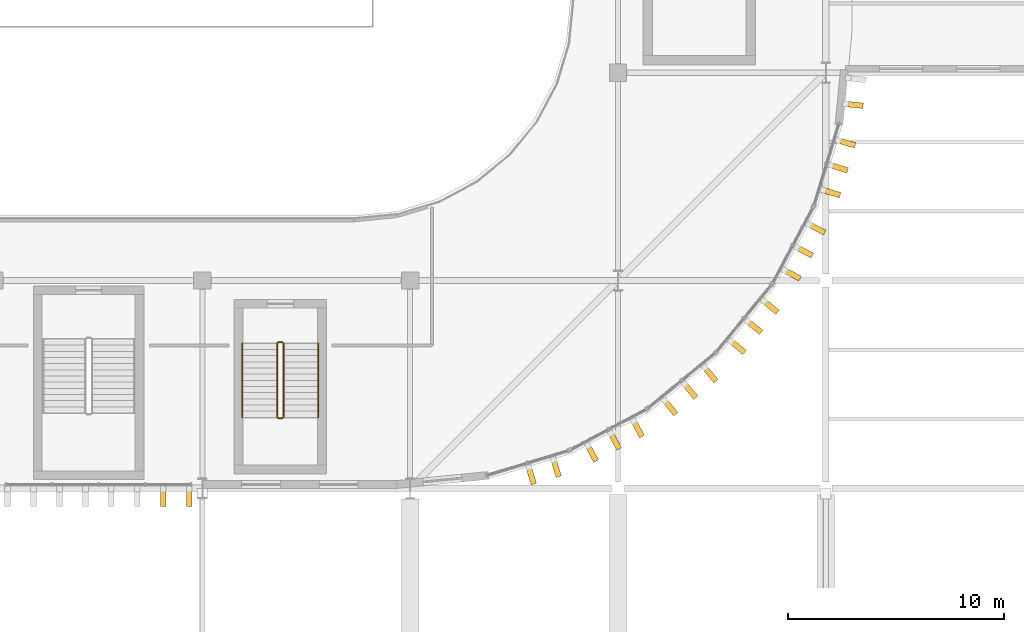
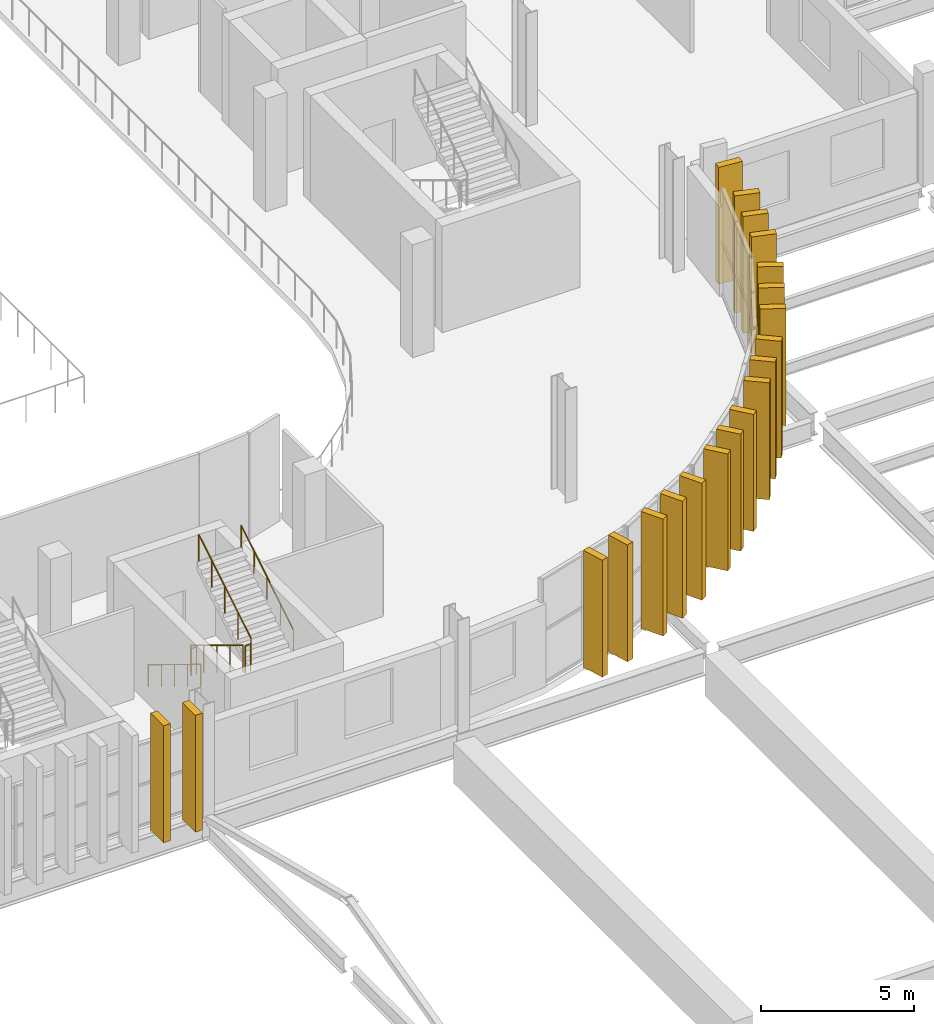
# One storey, part 70 of 75: 20 coverings, 6 railings.
"""IFC4 building model written with IfcOpenShell, lengths in metres."""

from ifc_helpers import new_model, si_unit, direction, frame, origin, origin_2d, place, context, subcontext, project, spatial, rectangle, circle, extrude, material, material_profile, profile_set, type_object, element, save


model = new_model("IFC4")

# Units and contexts
model_context = context("Model", 3, precision=1e-05, world=origin(), true_north=direction((0.0, 1.0)))
body_context = subcontext(model_context, "Body", "Model", "MODEL_VIEW")
ifc_project = project(units=[si_unit("LENGTHUNIT", "METRE"), si_unit("AREAUNIT", "SQUARE_METRE"), si_unit("VOLUMEUNIT", "CUBIC_METRE"), si_unit("PLANEANGLEUNIT", "RADIAN"), si_unit("MASSUNIT", "GRAM", prefix="KILO")], contexts=[model_context])

# Site, building, storey
site_placement = place(None, origin())
site = spatial("IfcSite", under=ifc_project, at=site_placement, CompositionType="ELEMENT")
building_placement = place(site_placement, origin())
building = spatial("IfcBuilding", under=site, at=building_placement, Name="Caelomonte Colonnade Arena", CompositionType="ELEMENT")
storey_placement = place(building_placement, frame((0.0, 0.0, 14.10009765625)))
storey = spatial("IfcBuildingStorey", under=building, at=storey_placement, Name="L03", CompositionType="ELEMENT", Elevation=14.10009765625)

# Coverings
ifc_material_1 = material(Name="Precast travertine cladding", Category="masonry")
ifc_material_profile = material_profile(ifc_material_1, rectangle(XDim=0.260009765625, YDim=0.85009765625, at=origin_2d()), Name="FIN260X850")
ifc_profile_set = profile_set([ifc_material_profile], Name="Precast travertine cladding")
covering_type = type_object("IfcCoveringType", Name="ENV-FN-SHAFT", PredefinedType="CLADDING", material=ifc_profile_set)
for number, where, z_axis, x_axis, name in (
    (1, (149.5888671875, 19.798095703125, -0.16015625), (0.0, 0.0, 1.0), (-0.956942868907, -0.290276326364, 0.0), "V1 L03 classical travertine vertical fin 5"),
    (2, (150.7373046875, 20.146484375, -0.16015625), (0.0, 0.0, 1.0), (-0.956942868907, -0.290276326364, 0.0), "V1 L03 classical travertine vertical fin 6"),
    (3, (152.391845703125, 20.831787109375, -0.16015625), (0.0, 0.0, 1.0), (-0.881921264348, -0.471396736826, 0.0), "V1 L03 classical travertine vertical fin 7"),
    (4, (153.4501953125, 21.3974609375, -0.16015625), (0.0, 0.0, 1.0), (-0.881921264348, -0.471396736826, 0.0), "V1 L03 classical travertine vertical fin 8"),
    (5, (154.508544921875, 21.963134765625, -0.16015625), (0.0, 0.0, 1.0), (-0.881921264348, -0.471396736826, 0.0), "V1 L03 classical travertine vertical fin 9"),
    (6, (155.99755859375, 22.958251953125, -0.16015625), (0.0, 0.0, 1.0), (-0.77299384472, -0.634413521313, 0.0), "V1 L03 classical travertine vertical fin 10"),
    (7, (156.92529296875, 23.719482421875, -0.16015625), (0.0, 0.0, 1.0), (-0.77299384472, -0.634413521313, 0.0), "V1 L03 classical travertine vertical fin 11"),
    (8, (157.852783203125, 24.480712890625, -0.16015625), (0.0, 0.0, 1.0), (-0.77299384472, -0.634413521313, 0.0), "V1 L03 classical travertine vertical fin 12"),
    (9, (159.119140625, 25.747314453125, -0.16015625), (0.0, 0.0, 1.0), (-0.634413521313, -0.77299384472, 0.0), "V1 L03 classical travertine vertical fin 13"),
    (10, (159.880615234375, 26.6748046875, -0.16015625), (0.0, 0.0, 1.0), (-0.634413521313, -0.77299384472, 0.0), "V1 L03 classical travertine vertical fin 14"),
    (11, (160.641845703125, 27.602294921875, -0.16015625), (0.0, 0.0, 1.0), (-0.634413521313, -0.77299384472, 0.0), "V1 L03 classical travertine vertical fin 15"),
    (12, (161.63671875, 29.091552734375, -0.16015625), (0.0, 0.0, 1.0), (-0.471396736826, -0.881921264348, 0.0), "V1 L03 classical travertine vertical fin 16"),
    (13, (162.202392578125, 30.14990234375, -0.16015625), (0.0, 0.0, 1.0), (-0.471396736826, -0.881921264348, 0.0), "V1 L03 classical travertine vertical fin 17"),
    (14, (162.768310546875, 31.2080078125, -0.16015625), (0.0, 0.0, 1.0), (-0.471396736826, -0.881921264348, 0.0), "V1 L03 classical travertine vertical fin 18"),
    (15, (163.45361328125, 32.86279296875, -0.16015625), (0.0, 0.0, 1.0), (-0.290276326364, -0.956942868907, 0.0), "V1 L03 classical travertine vertical fin 19"),
    (16, (163.802001953125, 34.010986328125, -0.16015625), (0.0, 0.0, 1.0), (-0.290276326364, -0.956942868907, 0.0), "V1 L03 classical travertine vertical fin 20"),
    (17, (164.150146484375, 35.159423828125, -0.16015625), (0.0, 0.0, 1.0), (-0.290276326364, -0.956942868907, 0.0), "V1 L03 classical travertine vertical fin 21"),
    (18, (164.49951171875, 36.916015625, -0.16015625), (0.0, 0.0, 1.0), (-0.098015403404, -0.995184897743, 0.0), "V1 L03 classical travertine vertical fin 22"),
    (19, (132.60009765625, 18.779052734375, -0.16015625), (0.0, 0.0, 1.0), (-1.0, 0.0, 0.0), "V1 L03 classical travertine vertical fin 284"),
    (20, (133.800048828125, 18.779052734375, -0.16015625), (0.0, 0.0, 1.0), (-1.0, 0.0, 0.0), "V1 L03 classical travertine vertical fin 285"),
):
    element("IfcCovering", number, at=place(storey_placement, frame(where, z_axis=z_axis, x_axis=x_axis)), inside=storey, type_object=covering_type, Name=name, PredefinedType="CLADDING", context=body_context, shape_type="SweptSolid", body=[
        extrude(rectangle(XDim=0.260009765625, YDim=0.85009765625, at=origin_2d()), origin(), (0.0, 0.0, 1.0), 4.66015625),
    ])

# Railings
ifc_material_2 = material(Name="Painted galvanized steel stair guard", Category="steel")
railing_type_1 = type_object("IfcRailingType", Name="INT-RL-GRD", PredefinedType="GUARDRAIL", material=ifc_material_2)
railing_1_placement = place(storey_placement, frame((137.85009765625, 25.89990234375, 0.173095703125)))
element("IfcRailing", 21, at=railing_1_placement, inside=storey, type_object=railing_type_1, Name="L03 ST-V12 stair guard 1", PredefinedType="GUARDRAIL", context=body_context, shape_type="SweptSolid", body=[
    extrude(circle(Radius=0.02392578125, at=origin_2d()), frame((0.0, 0.0, 1.076171875), z_axis=(0.0, -0.854729506542, 0.519073665916), x_axis=(1.0, 0.0, 0.0)), (0.0, 0.0, 1.0), 4.001220703125),
    extrude(circle(Radius=0.02099609375, at=origin_2d()), origin(), (0.0, 0.0, 1.0), 1.048095703125),
    extrude(circle(Radius=0.02099609375, at=origin_2d()), frame((0.0, -0.85498046875, 0.519287109375)), (0.0, 0.0, 1.0), 1.048095703125),
    extrude(circle(Radius=0.02099609375, at=origin_2d()), frame((0.0, -1.7099609375, 1.03857421875)), (0.0, 0.0, 1.0), 1.048095703125),
    extrude(circle(Radius=0.02099609375, at=origin_2d()), frame((0.0, -2.56494140625, 1.5576171875)), (0.0, 0.0, 1.0), 1.048095703125),
    extrude(circle(Radius=0.02099609375, at=origin_2d()), frame((0.0, -3.419921875, 2.076904296875)), (0.0, 0.0, 1.0), 1.048095703125),
])
railing_2_placement = place(storey_placement, frame((137.89990234375, 22.429931640625, 2.25)))
element("IfcRailing", 22, at=railing_2_placement, inside=storey, type_object=railing_type_1, Name="L03 ST-V12 stair guard 2", PredefinedType="GUARDRAIL", context=body_context, shape_type="SweptSolid", body=[
    extrude(circle(Radius=0.02392578125, at=origin_2d()), frame((0.0, 0.0, 1.076171875), z_axis=(1.0, 0.0, 0.0), x_axis=(0.0, 1.0, 0.0)), (0.0, 0.0, 1.0), 0.2001953125),
    extrude(circle(Radius=0.02099609375, at=origin_2d()), origin(), (0.0, 0.0, 1.0), 1.048095703125),
    extrude(circle(Radius=0.02099609375, at=origin_2d()), frame((0.2001953125, 0.0, 0.0)), (0.0, 0.0, 1.0), 1.048095703125),
])
railing_3_placement = place(storey_placement, frame((138.14990234375, 22.47998046875, 2.423095703125)))
element("IfcRailing", 23, at=railing_3_placement, inside=storey, type_object=railing_type_1, Name="L03 ST-V12 stair guard 3", PredefinedType="GUARDRAIL", context=body_context, shape_type="SweptSolid", body=[
    extrude(circle(Radius=0.02392578125, at=origin_2d()), frame((0.0, 0.0, 1.076171875), z_axis=(0.0, 0.854729506542, 0.519073665916), x_axis=(-1.0, 0.0, 0.0)), (0.0, 0.0, 1.0), 4.001220703125),
    extrude(circle(Radius=0.02099609375, at=origin_2d()), origin(), (0.0, 0.0, 1.0), 1.048095703125),
    extrude(circle(Radius=0.02099609375, at=origin_2d()), frame((0.0, 0.85498046875, 0.519287109375)), (0.0, 0.0, 1.0), 1.048095703125),
    extrude(circle(Radius=0.02099609375, at=origin_2d()), frame((0.0, 1.7099609375, 1.03857421875)), (0.0, 0.0, 1.0), 1.048095703125),
    extrude(circle(Radius=0.02099609375, at=origin_2d()), frame((0.0, 2.56494140625, 1.5576171875)), (0.0, 0.0, 1.0), 1.048095703125),
    extrude(circle(Radius=0.02099609375, at=origin_2d()), frame((0.0, 3.419921875, 2.076904296875)), (0.0, 0.0, 1.0), 1.048095703125),
])
railing_4_placement = place(storey_placement, frame((137.89990234375, 25.949951171875, 0.0)))
element("IfcRailing", 24, at=railing_4_placement, inside=storey, type_object=railing_type_1, Name="L03 ST-V12 stair guard 4", PredefinedType="GUARDRAIL", context=body_context, shape_type="SweptSolid", body=[
    extrude(circle(Radius=0.02392578125, at=origin_2d()), frame((0.0, 0.0, 1.076171875), z_axis=(1.0, 0.0, 0.0), x_axis=(0.0, 1.0, 0.0)), (0.0, 0.0, 1.0), 0.2001953125),
    extrude(circle(Radius=0.02099609375, at=origin_2d()), origin(), (0.0, 0.0, 1.0), 1.048095703125),
    extrude(circle(Radius=0.02099609375, at=origin_2d()), frame((0.2001953125, 0.0, 0.0)), (0.0, 0.0, 1.0), 1.048095703125),
])
ifc_material_3 = material(Name="Brushed stainless steel stair handrail", Category="steel")
railing_type_2 = type_object("IfcRailingType", Name="INT-RL-HR", PredefinedType="HANDRAIL", material=ifc_material_3)
railing_5_placement = place(storey_placement, frame((136.25, 25.89990234375, 0.173095703125)))
element("IfcRailing", 25, at=railing_5_placement, inside=storey, type_object=railing_type_2, Name="L03 ST-V12 stair handrail 1", PredefinedType="HANDRAIL", context=body_context, shape_type="SweptSolid", body=[
    extrude(circle(Radius=0.02392578125, at=origin_2d()), frame((0.0, 0.0, 0.8759765625), z_axis=(0.0, -0.854729506542, 0.519073665916), x_axis=(1.0, 0.0, 0.0)), (0.0, 0.0, 1.0), 4.001220703125),
    extrude(circle(Radius=0.02099609375, at=origin_2d()), origin(), (0.0, 0.0, 1.0), 0.847900390625),
    extrude(circle(Radius=0.02099609375, at=origin_2d()), frame((0.0, -0.85498046875, 0.519287109375)), (0.0, 0.0, 1.0), 0.847900390625),
    extrude(circle(Radius=0.02099609375, at=origin_2d()), frame((0.0, -1.7099609375, 1.03857421875)), (0.0, 0.0, 1.0), 0.847900390625),
    extrude(circle(Radius=0.02099609375, at=origin_2d()), frame((0.0, -2.56494140625, 1.5576171875)), (0.0, 0.0, 1.0), 0.847900390625),
    extrude(circle(Radius=0.02099609375, at=origin_2d()), frame((0.0, -3.419921875, 2.076904296875)), (0.0, 0.0, 1.0), 0.847900390625),
])
railing_6_placement = place(storey_placement, frame((139.75, 22.47998046875, 2.423095703125)))
element("IfcRailing", 26, at=railing_6_placement, inside=storey, type_object=railing_type_2, Name="L03 ST-V12 stair handrail 2", PredefinedType="HANDRAIL", context=body_context, shape_type="SweptSolid", body=[
    extrude(circle(Radius=0.02392578125, at=origin_2d()), frame((0.0, 0.0, 0.8759765625), z_axis=(0.0, 0.854729506542, 0.519073665916), x_axis=(-1.0, 0.0, 0.0)), (0.0, 0.0, 1.0), 4.001220703125),
    extrude(circle(Radius=0.02099609375, at=origin_2d()), origin(), (0.0, 0.0, 1.0), 0.847900390625),
    extrude(circle(Radius=0.02099609375, at=origin_2d()), frame((0.0, 0.85498046875, 0.519287109375)), (0.0, 0.0, 1.0), 0.847900390625),
    extrude(circle(Radius=0.02099609375, at=origin_2d()), frame((0.0, 1.7099609375, 1.03857421875)), (0.0, 0.0, 1.0), 0.847900390625),
    extrude(circle(Radius=0.02099609375, at=origin_2d()), frame((0.0, 2.56494140625, 1.5576171875)), (0.0, 0.0, 1.0), 0.847900390625),
    extrude(circle(Radius=0.02099609375, at=origin_2d()), frame((0.0, 3.419921875, 2.076904296875)), (0.0, 0.0, 1.0), 0.847900390625),
])

save(model, "model.ifc")
